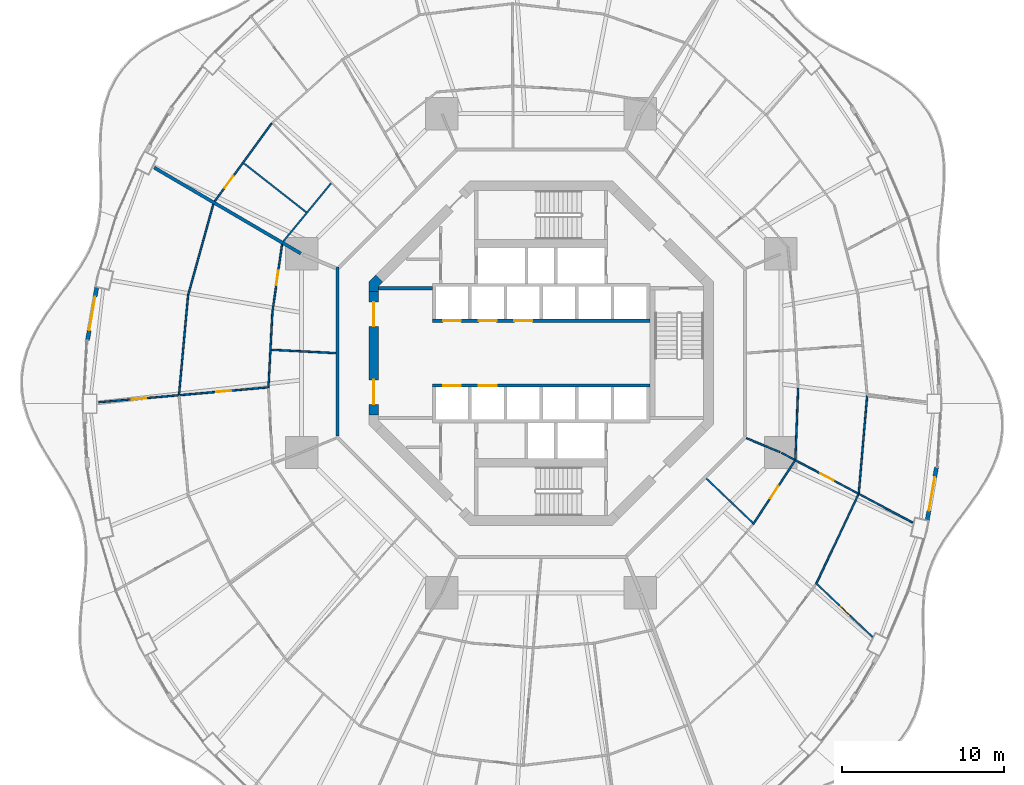
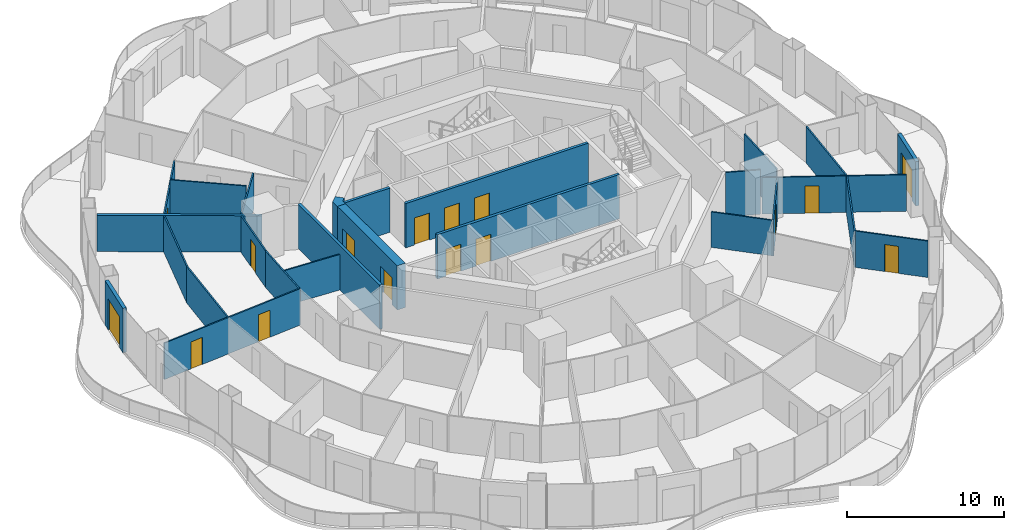
# One storey, part 13 of 19: 26 walls, 16 doors, 16 openings.
"""IFC4 building model written with IfcOpenShell, lengths in metres."""

from ifc_helpers import new_model, si_unit, direction, frame, frame_2d, origin, place, context, subcontext, project, spatial, polyline, rectangle, outline, extrude, material, layer, layer_set, type_object, element, fill, save


model = new_model("IFC4")

# Units and contexts
model_context = context("Model", 3, precision=1e-05, world=origin(), true_north=direction((0.0, 1.0)))
body_context = subcontext(model_context, "Body", "Model", "MODEL_VIEW")
ifc_project = project(units=[si_unit("LENGTHUNIT", "METRE"), si_unit("AREAUNIT", "SQUARE_METRE"), si_unit("VOLUMEUNIT", "CUBIC_METRE"), si_unit("PLANEANGLEUNIT", "RADIAN"), si_unit("MASSUNIT", "GRAM", prefix="KILO")], contexts=[model_context])

# Site, building, storey
site_placement = place(None, origin())
site = spatial("IfcSite", under=ifc_project, at=site_placement, CompositionType="ELEMENT")
building_placement = place(site_placement, origin())
building = spatial("IfcBuilding", under=site, at=building_placement, Name="Nagisa Residences", CompositionType="ELEMENT")
storey_placement = place(building_placement, frame((0.0, 0.0, 127.0)))
storey = spatial("IfcBuildingStorey", under=building, at=storey_placement, Name="L31", CompositionType="ELEMENT", Elevation=127.0)

# Walls
ifc_material_1 = material(Name="Gypsum board on steel studs", Category="steel")
ifc_layer_1 = layer(ifc_material_1, 0.199951171875)
ifc_layer_set_1 = layer_set([ifc_layer_1], Name="Apartment compartment wall EI60 200")
wall_type_1 = type_object("IfcWallType", Name="Apartment compartment wall EI60 200", PredefinedType="PARTITIONING", material=ifc_layer_set_1)
wall_1_placement = place(storey_placement, frame((-14.8251953125, 6.148193359375, 0.0), z_axis=(0.0, 0.0, 1.0), x_axis=(-0.862852031662, 0.505456597006, 0.0)))
element("IfcWall", 1, at=wall_1_placement, inside=storey, type_object=wall_type_1, Name="wall:L31:u03", PredefinedType="PARTITIONING", context=body_context, shape_type="SweptSolid", body=[
    extrude(rectangle(XDim=10.487060546875, YDim=0.199951171875, at=frame_2d((5.24365234375, 0.0))), origin(), (0.0, 0.0, 1.0), 2.827880859375),
])
ifc_material_2 = material(Name="Gypsum board on steel studs", Category="steel")
ifc_layer_2 = layer(ifc_material_2, 0.199951171875)
ifc_layer_set_2 = layer_set([ifc_layer_2], Name="Apartment entry wall EI60 200")
wall_type_2 = type_object("IfcWallType", Name="Apartment entry wall EI60 200", PredefinedType="PARTITIONING", material=ifc_layer_set_2)
wall_2_placement = place(storey_placement, frame((-12.564697265625, 5.304443359375, 0.0), z_axis=(0.0, 0.0, 1.0), x_axis=(0.0, -1.0, 0.0)))
element("IfcWall", 2, at=wall_2_placement, inside=storey, type_object=wall_type_2, Name="wall:L31:u10", PredefinedType="PARTITIONING", context=body_context, shape_type="SweptSolid", body=[
    extrude(rectangle(XDim=10.408935546875, YDim=0.199951171875, at=frame_2d((5.20458984375, 0.0))), origin(), (0.0, 0.0, 1.0), 3.43994140625),
])
ifc_material_3 = material(Name="Gypsum board on steel studs", Category="steel")
ifc_layer_3 = layer(ifc_material_3, 0.10009765625)
ifc_layer_set_3 = layer_set([ifc_layer_3], Name="Apartment partition 100")
wall_type_3 = type_object("IfcWallType", Name="Apartment partition 100", PredefinedType="PARTITIONING", material=ifc_layer_set_3)
wall_3_placement = place(storey_placement, frame((15.848876953125, -2.158203125, 0.0), z_axis=(0.0, 0.0, 1.0), x_axis=(-0.038390448414, -0.999262815014, 0.0)))
element("IfcWall", 3, at=wall_3_placement, inside=storey, type_object=wall_type_3, Name="wall:L31:u15", PredefinedType="PARTITIONING", context=body_context, shape_type="SweptSolid", body=[
    extrude(rectangle(XDim=4.394287109375, YDim=0.10009765625, at=frame_2d((2.197265625, 0.0))), origin(), (0.0, 0.0, 1.0), 3.43994140625),
])
wall_4_placement = place(storey_placement, frame((20.10595703125, -2.64208984375, 0.0), z_axis=(0.0, 0.0, 1.0), x_axis=(-0.085672025822, -0.996323393277, 0.0)))
element("IfcWall", 4, at=wall_4_placement, inside=storey, type_object=wall_type_3, Name="wall:L31:u18", PredefinedType="PARTITIONING", context=body_context, shape_type="SweptSolid", body=[
    extrude(rectangle(XDim=6.007080078125, YDim=0.10009765625, at=frame_2d((3.00341796875, 0.0))), origin(), (0.0, 0.0, 1.0), 2.827880859375),
])
wall_5_placement = place(storey_placement, frame((-12.965087890625, 10.474609375, 0.0), z_axis=(0.0, 0.0, 1.0), x_axis=(-0.634943961338, -0.772558195841, 0.0)))
element("IfcWall", 5, at=wall_5_placement, inside=storey, type_object=wall_type_3, Name="wall:L31:u49", PredefinedType="PARTITIONING", context=body_context, shape_type="SweptSolid", body=[
    extrude(rectangle(XDim=4.632080078125, YDim=0.10009765625, at=frame_2d((2.31591796875, 0.0))), origin(), (0.0, 0.0, 1.0), 2.827880859375),
])

# Wall, opening, door
wall_6_placement = place(storey_placement, frame((-16.620849609375, 14.17431640625, 0.0), z_axis=(0.0, 0.0, 1.0), x_axis=(-0.590674917338, -0.806909624449, 0.0)))
wall_6 = element("IfcWall", 6, at=wall_6_placement, inside=storey, type_object=wall_type_3, Name="wall:L31:u50", PredefinedType="PARTITIONING", context=body_context, shape_type="SweptSolid", body=[
    extrude(rectangle(XDim=5.948974609375, YDim=0.10009765625, at=frame_2d((2.974609375, 0.0))), origin(), (0.0, 0.0, 1.0), 2.827880859375),
])
opening_1_placement = place(wall_6_placement, frame((4.0244140625, 0.0, 0.0)))
opening_1 = element("IfcOpeningElement", 7, at=opening_1_placement, cuts=wall_6, Name="Opening L31-U11", PredefinedType="OPENING", context=body_context, shape_type="SweptSolid", body=[
    extrude(rectangle(XDim=0.89990234375, YDim=2.10009765625, at=frame_2d((0.449951171875, 1.050048828125))), frame((0.0, 0.06005859375, 0.0), z_axis=(0.0, -1.0, 0.0), x_axis=(1.0, 0.0, 0.0)), (0.0, 0.0, 1.0), 0.1201171875),
])
ifc_material_4 = material(Name="Timber door set", Category="wood")
door_type_1 = type_object("IfcDoorType", Name="Apartment door 900x2100", OperationType="NOTDEFINED", PredefinedType="DOOR", material=ifc_material_4)
door_1_placement = place(opening_1_placement, origin())
door_1 = element("IfcDoor", 8, at=door_1_placement, inside=storey, type_object=door_type_1, Name="Door to en-suite bathroom, Apartment 31A", OperationType="SINGLE_SWING_LEFT", OverallHeight=2.10009765625, OverallWidth=0.89990234375, PredefinedType="DOOR", context=body_context, shape_type="SweptSolid", body=[
    extrude(rectangle(XDim=0.89990234375, YDim=2.10009765625, at=frame_2d((0.449951171875, 1.050048828125))), frame((0.0, 0.02490234375, 0.0), z_axis=(0.0, -1.0, 0.0), x_axis=(1.0, 0.0, 0.0)), (0.0, 0.0, 1.0), 0.050048828125),
])
fill(opening_1, door_1)

# Wall
wall_7_placement = place(storey_placement, frame((-14.490966796875, 8.69677734375, 0.0), z_axis=(0.0, 0.0, 1.0), x_axis=(-0.787139479951, 0.616775031193, 0.0)))
element("IfcWall", 9, at=wall_7_placement, inside=storey, type_object=wall_type_3, Name="wall:L31:u51", PredefinedType="PARTITIONING", context=body_context, shape_type="SweptSolid", body=[
    extrude(rectangle(XDim=4.90673828125, YDim=0.10009765625, at=frame_2d((2.453369140625, 0.0))), origin(), (0.0, 0.0, 1.0), 3.43994140625),
])

# Wall, opening, door
wall_8_placement = place(storey_placement, frame((-15.98388671875, 6.7197265625, 0.0), z_axis=(0.0, 0.0, 1.0), x_axis=(-0.140684869512, -0.990054426529, 0.0)))
wall_8 = element("IfcWall", 10, at=wall_8_placement, inside=storey, type_object=wall_type_3, Name="wall:L31:u52", PredefinedType="PARTITIONING", context=body_context, shape_type="SweptSolid", body=[
    extrude(rectangle(XDim=4.177001953125, YDim=0.10009765625, at=frame_2d((2.08837890625, 0.0))), origin(), (0.0, 0.0, 1.0), 2.827880859375),
])
opening_2_placement = place(wall_8_placement, frame((1.638427734375, 0.0, 0.0)))
opening_2 = element("IfcOpeningElement", 11, at=opening_2_placement, cuts=wall_8, Name="Opening L31-U34", PredefinedType="OPENING", context=body_context, shape_type="SweptSolid", body=[
    extrude(rectangle(XDim=0.89990234375, YDim=2.10009765625, at=frame_2d((0.449951171875, 1.050048828125))), frame((0.0, 0.06005859375, 0.0), z_axis=(0.0, -1.0, 0.0), x_axis=(1.0, 0.0, 0.0)), (0.0, 0.0, 1.0), 0.1201171875),
])
door_2_placement = place(opening_2_placement, origin())
door_2 = element("IfcDoor", 12, at=door_2_placement, inside=storey, type_object=door_type_1, Name="Door to laundry, Apartment 31B", OperationType="SINGLE_SWING_RIGHT", OverallHeight=2.10009765625, OverallWidth=0.89990234375, PredefinedType="DOOR", context=body_context, shape_type="SweptSolid", body=[
    extrude(rectangle(XDim=0.89990234375, YDim=2.10009765625, at=frame_2d((0.449951171875, 1.050048828125))), frame((0.0, 0.02490234375, 0.0), z_axis=(0.0, -1.0, 0.0), x_axis=(1.0, 0.0, 0.0)), (0.0, 0.0, 1.0), 0.050048828125),
])
fill(opening_2, door_2)

# Walls
wall_9_placement = place(storey_placement, frame((-20.220703125, 9.19677734375, 0.0), z_axis=(0.0, 0.0, 1.0), x_axis=(-0.267398009191, -0.963586168789, 0.0)))
element("IfcWall", 13, at=wall_9_placement, inside=storey, type_object=wall_type_3, Name="wall:L31:u53", PredefinedType="PARTITIONING", context=body_context, shape_type="SweptSolid", body=[
    extrude(rectangle(XDim=5.78759765625, YDim=0.10009765625, at=frame_2d((2.893798828125, 0.0))), origin(), (0.0, 0.0, 1.0), 2.827880859375),
])
wall_10_placement = place(storey_placement, frame((-16.575927734375, 2.584716796875, 0.0), z_axis=(0.0, 0.0, 1.0), x_axis=(-0.052509224895, -0.998620439056, 0.0)))
element("IfcWall", 14, at=wall_10_placement, inside=storey, type_object=wall_type_3, Name="wall:L31:u54", PredefinedType="PARTITIONING", context=body_context, shape_type="SweptSolid", body=[
    extrude(rectangle(XDim=4.6494140625, YDim=0.10009765625, at=frame_2d((2.32470703125, 0.0))), origin(), (0.0, 0.0, 1.0), 2.827880859375),
])
wall_11_placement = place(storey_placement, frame((-21.777099609375, 3.621337890625, 0.0), z_axis=(0.0, 0.0, 1.0), x_axis=(-0.090606877484, -0.995886737412, 0.0)))
element("IfcWall", 15, at=wall_11_placement, inside=storey, type_object=wall_type_3, Name="wall:L31:u55", PredefinedType="PARTITIONING", context=body_context, shape_type="SweptSolid", body=[
    extrude(rectangle(XDim=6.189208984375, YDim=0.10009765625, at=frame_2d((3.0947265625, 0.0))), origin(), (0.0, 0.0, 1.0), 2.827880859375),
])
wall_12_placement = place(storey_placement, frame((-12.66455078125, 0.005126953125, 0.0), z_axis=(0.0, 0.0, 1.0), x_axis=(-0.998672861712, 0.051502575462, 0.0)))
element("IfcWall", 16, at=wall_12_placement, inside=storey, type_object=wall_type_3, Name="wall:L31:u56", PredefinedType="PARTITIONING", context=body_context, shape_type="SweptSolid", body=[
    extrude(rectangle(XDim=3.991455078125, YDim=0.10009765625, at=frame_2d((1.99560546875, 0.0))), origin(), (0.0, 0.0, 1.0), 2.756103515625),
])

# Wall, openings, doors
wall_13_placement = place(storey_placement, frame((-16.77294921875, -2.103759765625, 0.0), z_axis=(0.0, 0.0, 1.0), x_axis=(-0.996176206701, -0.087366842701, 0.0)))
wall_13 = element("IfcWall", 17, at=wall_13_placement, inside=storey, type_object=wall_type_3, Name="wall:L31:u57", PredefinedType="PARTITIONING", context=body_context, shape_type="SweptSolid", body=[
    extrude(rectangle(XDim=10.56005859375, YDim=0.10009765625, at=frame_2d((5.280029296875, 0.0))), origin(), (0.0, 0.0, 1.0), 2.827880859375),
])
opening_3_placement = place(wall_13_placement, frame((2.370361328125, 0.0, 0.0)))
opening_3 = element("IfcOpeningElement", 18, at=opening_3_placement, cuts=wall_13, Name="Opening L31-U32", PredefinedType="OPENING", context=body_context, shape_type="SweptSolid", body=[
    extrude(rectangle(XDim=0.89990234375, YDim=2.10009765625, at=frame_2d((0.449951171875, 1.050048828125))), frame((0.0, 0.06005859375, 0.0), z_axis=(0.0, -1.0, 0.0), x_axis=(1.0, 0.0, 0.0)), (0.0, 0.0, 1.0), 0.1201171875),
])
opening_4_placement = place(wall_13_placement, frame((7.62548828125, 0.0, 0.0)))
opening_4 = element("IfcOpeningElement", 19, at=opening_4_placement, cuts=wall_13, Name="Opening L31-U33", PredefinedType="OPENING", context=body_context, shape_type="SweptSolid", body=[
    extrude(rectangle(XDim=0.89990234375, YDim=2.10009765625, at=frame_2d((0.449951171875, 1.050048828125))), frame((0.0, 0.06005859375, 0.0), z_axis=(0.0, -1.0, 0.0), x_axis=(1.0, 0.0, 0.0)), (0.0, 0.0, 1.0), 0.1201171875),
])
door_3_placement = place(opening_3_placement, frame((0.89990234375, 0.0, 0.0), x_axis=(-1.0, 0.0, 0.0)))
door_3 = element("IfcDoor", 20, at=door_3_placement, inside=storey, type_object=door_type_1, Name="Door to dining room, Apartment 31B", OperationType="SINGLE_SWING_LEFT", OverallHeight=2.10009765625, OverallWidth=0.89990234375, PredefinedType="DOOR", context=body_context, shape_type="SweptSolid", body=[
    extrude(rectangle(XDim=0.89990234375, YDim=2.10009765625, at=frame_2d((0.449951171875, 1.050048828125))), frame((0.0, 0.02490234375, 0.0), z_axis=(0.0, -1.0, 0.0), x_axis=(1.0, 0.0, 0.0)), (0.0, 0.0, 1.0), 0.050048828125),
])
fill(opening_3, door_3)
door_4_placement = place(opening_4_placement, frame((0.89990234375, 0.0, 0.0), x_axis=(-1.0, 0.0, 0.0)))
door_4 = element("IfcDoor", 21, at=door_4_placement, inside=storey, type_object=door_type_1, Name="Door to family room, Apartment 31B", OperationType="SINGLE_SWING_RIGHT", OverallHeight=2.10009765625, OverallWidth=0.89990234375, PredefinedType="DOOR", context=body_context, shape_type="SweptSolid", body=[
    extrude(rectangle(XDim=0.89990234375, YDim=2.10009765625, at=frame_2d((0.449951171875, 1.050048828125))), frame((0.0, 0.02490234375, 0.0), z_axis=(0.0, -1.0, 0.0), x_axis=(1.0, 0.0, 0.0)), (0.0, 0.0, 1.0), 0.050048828125),
])
fill(opening_4, door_4)

# Wall
wall_14_placement = place(storey_placement, frame((10.18359375, -7.72705078125, 0.0), z_axis=(0.0, 0.0, 1.0), x_axis=(0.723654892782, -0.690162007179, 0.0)))
element("IfcWall", 22, at=wall_14_placement, inside=storey, type_object=wall_type_3, Name="wall:L31:u91", PredefinedType="PARTITIONING", context=body_context, shape_type="SweptSolid", body=[
    extrude(rectangle(XDim=3.97998046875, YDim=0.10009765625, at=frame_2d((1.989990234375, 0.0))), origin(), (0.0, 0.0, 1.0), 2.756103515625),
])

# Wall, opening, door
wall_15_placement = place(storey_placement, frame((13.072265625, -10.550048828125, 0.0), z_axis=(0.0, 0.0, 1.0), x_axis=(0.550614843759, 0.834759422727, 0.0)))
wall_15 = element("IfcWall", 23, at=wall_15_placement, inside=storey, type_object=wall_type_3, Name="wall:L31:u92", PredefinedType="PARTITIONING", context=body_context, shape_type="SweptSolid", body=[
    extrude(rectangle(XDim=4.6826171875, YDim=0.10009765625, at=frame_2d((2.34130859375, 0.0))), origin(), (0.0, 0.0, 1.0), 2.827880859375),
])
opening_5_placement = place(wall_15_placement, frame((1.91650390625, 0.0, 0.0)))
opening_5 = element("IfcOpeningElement", 24, at=opening_5_placement, cuts=wall_15, Name="Opening L31-U51", PredefinedType="OPENING", context=body_context, shape_type="SweptSolid", body=[
    extrude(rectangle(XDim=0.89990234375, YDim=2.10009765625, at=frame_2d((0.449951171875, 1.050048828125))), frame((0.0, 0.06005859375, 0.0), z_axis=(0.0, -1.0, 0.0), x_axis=(1.0, 0.0, 0.0)), (0.0, 0.0, 1.0), 0.1201171875),
])
door_5_placement = place(opening_5_placement, origin())
door_5 = element("IfcDoor", 25, at=door_5_placement, inside=storey, type_object=door_type_1, Name="Door to laundry, Apartment 31C", OperationType="SINGLE_SWING_LEFT", OverallHeight=2.10009765625, OverallWidth=0.89990234375, PredefinedType="DOOR", context=body_context, shape_type="SweptSolid", body=[
    extrude(rectangle(XDim=0.89990234375, YDim=2.10009765625, at=frame_2d((0.449951171875, 1.050048828125))), frame((0.0, 0.02490234375, 0.0), z_axis=(0.0, -1.0, 0.0), x_axis=(1.0, 0.0, 0.0)), (0.0, 0.0, 1.0), 0.050048828125),
])
fill(opening_5, door_5)

wall_16_placement = place(storey_placement, frame((17.010009765625, -14.238037109375, 0.0), z_axis=(0.0, 0.0, 1.0), x_axis=(0.723650186498, -0.690166941821, 0.0)))
wall_16 = element("IfcWall", 26, at=wall_16_placement, inside=storey, type_object=wall_type_3, Name="wall:L31:u93", PredefinedType="PARTITIONING", context=body_context, shape_type="SweptSolid", body=[
    extrude(rectangle(XDim=4.739501953125, YDim=0.10009765625, at=frame_2d((2.36962890625, 0.0))), origin(), (0.0, 0.0, 1.0), 2.827880859375),
])
opening_6_placement = place(wall_16_placement, frame((1.919677734375, 0.0, 0.0)))
opening_6 = element("IfcOpeningElement", 27, at=opening_6_placement, cuts=wall_16, Name="Opening L31-U49", PredefinedType="OPENING", context=body_context, shape_type="SweptSolid", body=[
    extrude(rectangle(XDim=0.89990234375, YDim=2.10009765625, at=frame_2d((0.449951171875, 1.050048828125))), frame((0.0, 0.06005859375, 0.0), z_axis=(0.0, -1.0, 0.0), x_axis=(1.0, 0.0, 0.0)), (0.0, 0.0, 1.0), 0.1201171875),
])
door_6_placement = place(opening_6_placement, origin())
door_6 = element("IfcDoor", 28, at=door_6_placement, inside=storey, type_object=door_type_1, Name="Door to master bedroom, Apartment 31C", OperationType="SINGLE_SWING_LEFT", OverallHeight=2.10009765625, OverallWidth=0.89990234375, PredefinedType="DOOR", context=body_context, shape_type="SweptSolid", body=[
    extrude(rectangle(XDim=0.89990234375, YDim=2.10009765625, at=frame_2d((0.449951171875, 1.050048828125))), frame((0.0, 0.02490234375, 0.0), z_axis=(0.0, -1.0, 0.0), x_axis=(1.0, 0.0, 0.0)), (0.0, 0.0, 1.0), 0.050048828125),
])
fill(opening_6, door_6)

# Walls
wall_17_placement = place(storey_placement, frame((16.95263671875, -14.24853515625, 0.0), z_axis=(0.0, 0.0, 1.0), x_axis=(0.427456178439, 0.904036069808, 0.0)))
element("IfcWall", 29, at=wall_17_placement, inside=storey, type_object=wall_type_3, Name="wall:L31:u94", PredefinedType="PARTITIONING", context=body_context, shape_type="SweptSolid", body=[
    extrude(rectangle(XDim=6.113037109375, YDim=0.10009765625, at=frame_2d((3.056640625, 0.0))), origin(), (0.0, 0.0, 1.0), 2.827880859375),
])
wall_18_placement = place(storey_placement, frame((12.6572265625, -5.24267578125, 0.0), z_axis=(0.0, 0.0, 1.0), x_axis=(0.923864733477, -0.382719158442, 0.0)))
element("IfcWall", 30, at=wall_18_placement, inside=storey, type_object=wall_type_3, Name="wall:L31:u95", PredefinedType="PARTITIONING", context=body_context, shape_type="SweptSolid", body=[
    extrude(rectangle(XDim=2.25, YDim=0.10009765625, at=frame_2d((1.125, 0.0))), origin(), (0.0, 0.0, 1.0), 3.43994140625),
])

# Wall, opening, door
wall_19_placement = place(storey_placement, frame((14.826171875, -6.146484375, 0.0), z_axis=(0.0, 0.0, 1.0), x_axis=(0.883012998471, -0.469348532044, 0.0)))
wall_19 = element("IfcWall", 31, at=wall_19_placement, inside=storey, type_object=wall_type_3, Name="wall:L31:u96", PredefinedType="PARTITIONING", context=body_context, shape_type="SweptSolid", body=[
    extrude(rectangle(XDim=9.172119140625, YDim=0.10009765625, at=frame_2d((4.5859375, 0.0))), origin(), (0.0, 0.0, 1.0), 2.827880859375),
])
opening_7_placement = place(wall_19_placement, frame((2.728271484375, 0.0, 0.0)))
opening_7 = element("IfcOpeningElement", 32, at=opening_7_placement, cuts=wall_19, Name="Opening L31-U47", PredefinedType="OPENING", context=body_context, shape_type="SweptSolid", body=[
    extrude(rectangle(XDim=0.89990234375, YDim=2.10009765625, at=frame_2d((0.449951171875, 1.050048828125))), frame((0.0, 0.06005859375, 0.0), z_axis=(0.0, -1.0, 0.0), x_axis=(1.0, 0.0, 0.0)), (0.0, 0.0, 1.0), 0.1201171875),
])
door_7_placement = place(opening_7_placement, frame((0.89990234375, 0.0, 0.0), x_axis=(-1.0, 0.0, 0.0)))
door_7 = element("IfcDoor", 33, at=door_7_placement, inside=storey, type_object=door_type_1, Name="Door to kitchen, Apartment 31C", OperationType="SINGLE_SWING_RIGHT", OverallHeight=2.10009765625, OverallWidth=0.89990234375, PredefinedType="DOOR", context=body_context, shape_type="SweptSolid", body=[
    extrude(rectangle(XDim=0.89990234375, YDim=2.10009765625, at=frame_2d((0.449951171875, 1.050048828125))), frame((0.0, 0.02490234375, 0.0), z_axis=(0.0, -1.0, 0.0), x_axis=(1.0, 0.0, 0.0)), (0.0, 0.0, 1.0), 0.050048828125),
])
fill(opening_7, door_7)

ifc_material_5 = material(Name="Precast concrete C40/50", Category="concrete")
ifc_layer_4 = layer(ifc_material_5, 0.25)
ifc_layer_set_4 = layer_set([ifc_layer_4], Name="BALCONY DOOR WALL 250")
wall_type_4 = type_object("IfcWallType", Name="BALCONY DOOR WALL 250", PredefinedType="SOLIDWALL", material=ifc_layer_set_4)
wall_20_placement = place(storey_placement, frame((-27.98486328125, 0.802001953125, 0.0), z_axis=(0.0, 0.0, 1.0), x_axis=(0.172163521006, 0.985068384446, 0.0)))
wall_20 = element("IfcWall", 34, at=wall_20_placement, inside=storey, type_object=wall_type_4, Name="wall:L31:bay22", PredefinedType="SOLIDWALL", context=body_context, shape_type="SweptSolid", body=[
    extrude(rectangle(XDim=3.33251953125, YDim=0.25, at=frame_2d((1.666259765625, 0.0))), origin(), (0.0, 0.0, 1.0), 3.43994140625),
])
opening_8_placement = place(wall_20_placement, frame((0.6162109375, 0.0, 0.0)))
opening_8 = element("IfcOpeningElement", 35, at=opening_8_placement, cuts=wall_20, Name="Opening BD-L31-08", PredefinedType="OPENING", context=body_context, shape_type="SweptSolid", body=[
    extrude(rectangle(XDim=2.10009765625, YDim=2.39990234375, at=frame_2d((1.050048828125, 1.199951171875))), frame((0.0, 0.135009765625, 0.0), z_axis=(0.0, -1.0, 0.0), x_axis=(1.0, 0.0, 0.0)), (0.0, 0.0, 1.0), 0.27001953125),
])
ifc_material_6 = material(Name="Aluminium and clear glass", Category="aluminium")
door_type_2 = type_object("IfcDoorType", Name="BALCONY SLIDING DOOR 2100x2400", OperationType="SLIDING_TO_LEFT", PredefinedType="DOOR", material=ifc_material_6)
door_8_placement = place(opening_8_placement, origin())
door_8 = element("IfcDoor", 36, at=door_8_placement, inside=storey, type_object=door_type_2, Name="door:L31:bay22", OperationType="SLIDING_TO_LEFT", OverallHeight=2.39990234375, OverallWidth=2.10009765625, PredefinedType="DOOR", context=body_context, shape_type="SweptSolid", body=[
    extrude(rectangle(XDim=2.10009765625, YDim=2.39990234375, at=frame_2d((1.050048828125, 1.199951171875))), frame((0.0, 0.02490234375, 0.0), z_axis=(0.0, -1.0, 0.0), x_axis=(1.0, 0.0, 0.0)), (0.0, 0.0, 1.0), 0.050048828125),
])
fill(opening_8, door_8)

wall_21_placement = place(storey_placement, frame((24.384765625, -7.037353515625, 0.0), z_axis=(0.0, 0.0, 1.0), x_axis=(-0.172163521006, -0.985068384446, 0.0)))
wall_21 = element("IfcWall", 37, at=wall_21_placement, inside=storey, type_object=wall_type_4, Name="wall:L31:bay46", PredefinedType="SOLIDWALL", context=body_context, shape_type="SweptSolid", body=[
    extrude(rectangle(XDim=3.33251953125, YDim=0.25, at=frame_2d((1.666259765625, 0.0))), origin(), (0.0, 0.0, 1.0), 3.43994140625),
])
opening_9_placement = place(wall_21_placement, frame((0.6162109375, 0.0, 0.0)))
opening_9 = element("IfcOpeningElement", 38, at=opening_9_placement, cuts=wall_21, Name="Opening BD-L31-16", PredefinedType="OPENING", context=body_context, shape_type="SweptSolid", body=[
    extrude(rectangle(XDim=2.10009765625, YDim=2.39990234375, at=frame_2d((1.050048828125, 1.199951171875))), frame((0.0, 0.135009765625, 0.0), z_axis=(0.0, -1.0, 0.0), x_axis=(1.0, 0.0, 0.0)), (0.0, 0.0, 1.0), 0.27001953125),
])
door_9_placement = place(opening_9_placement, origin())
door_9 = element("IfcDoor", 39, at=door_9_placement, inside=storey, type_object=door_type_2, Name="door:L31:bay46", OperationType="SLIDING_TO_LEFT", OverallHeight=2.39990234375, OverallWidth=2.10009765625, PredefinedType="DOOR", context=body_context, shape_type="SweptSolid", body=[
    extrude(rectangle(XDim=2.10009765625, YDim=2.39990234375, at=frame_2d((1.050048828125, 1.199951171875))), frame((0.0, 0.02490234375, 0.0), z_axis=(0.0, -1.0, 0.0), x_axis=(1.0, 0.0, 0.0)), (0.0, 0.0, 1.0), 0.050048828125),
])
fill(opening_9, door_9)

# Wall
ifc_material_7 = material(Name="Gypsum board on steel studs", Category="steel")
ifc_layer_5 = layer(ifc_material_7, 0.199951171875)
ifc_layer_set_5 = layer_set([ifc_layer_5], Name="Core partition 200")
wall_type_5 = type_object("IfcWallType", Name="Core partition 200", PredefinedType="PARTITIONING", material=ifc_layer_set_5)
wall_22_placement = place(storey_placement, frame((-10.024658203125, 4.0, 0.0), z_axis=(0.0, 0.0, 1.0), x_axis=(1.0, 0.0, 0.0)))
element("IfcWall", 40, at=wall_22_placement, inside=storey, type_object=wall_type_5, Name="wall:L31:PNW", PredefinedType="PARTITIONING", context=body_context, shape_type="SweptSolid", body=[
    extrude(rectangle(XDim=3.32470703125, YDim=0.199951171875, at=frame_2d((1.662353515625, 0.0))), origin(), (0.0, 0.0, 1.0), 3.43994140625),
])

# Wall, openings, doors
ifc_material_8 = material(Name="Concrete C60", Category="concrete")
ifc_layer_6 = layer(ifc_material_8, 0.60009765625)
ifc_layer_set_6 = layer_set([ifc_layer_6], Name="Core shear wall 600")
wall_type_6 = type_object("IfcWallType", Name="Core shear wall 600", PredefinedType="SHEAR", material=ifc_layer_set_6)
wall_23_placement = place(storey_placement, frame((-10.32470703125, 3.80078125, 0.0), z_axis=(0.0, 0.0, 1.0), x_axis=(0.0, -1.0, 0.0)))
wall_23 = element("IfcWall", 41, at=wall_23_placement, inside=storey, type_object=wall_type_6, Name="wall:L31:core:flat4", PredefinedType="SHEAR", context=body_context, shape_type="SweptSolid", body=[
    extrude(rectangle(XDim=7.6015625, YDim=0.60009765625, at=frame_2d((3.80078125, 0.0))), origin(), (0.0, 0.0, 1.0), 3.43994140625),
])
opening_10_placement = place(wall_23_placement, frame((0.65087890625, 0.0, 0.0)))
opening_10 = element("IfcOpeningElement", 42, at=opening_10_placement, cuts=wall_23, Name="Opening L31-C19", PredefinedType="OPENING", context=body_context, shape_type="SweptSolid", body=[
    extrude(rectangle(XDim=1.5, YDim=2.10009765625, at=frame_2d((0.75, 1.050048828125))), frame((0.0, 0.31005859375, 0.0), z_axis=(0.0, -1.0, 0.0), x_axis=(1.0, 0.0, 0.0)), (0.0, 0.0, 1.0), 0.6201171875),
])
opening_11_placement = place(wall_23_placement, frame((5.450927734375, 0.0, 0.0)))
opening_11 = element("IfcOpeningElement", 43, at=opening_11_placement, cuts=wall_23, Name="Opening L31-C20", PredefinedType="OPENING", context=body_context, shape_type="SweptSolid", body=[
    extrude(rectangle(XDim=1.5, YDim=2.10009765625, at=frame_2d((0.75, 1.050048828125))), frame((0.0, 0.31005859375, 0.0), z_axis=(0.0, -1.0, 0.0), x_axis=(1.0, 0.0, 0.0)), (0.0, 0.0, 1.0), 0.6201171875),
])
ifc_material_9 = material(Name="Steel fire door", Category="steel")
door_type_3 = type_object("IfcDoorType", Name="Fire door EI60 1500x2100 double door single swing", OperationType="DOUBLE_DOOR_SINGLE_SWING", PredefinedType="DOOR", material=ifc_material_9)
door_10_placement = place(opening_10_placement, origin())
door_10 = element("IfcDoor", 44, at=door_10_placement, inside=storey, type_object=door_type_3, Name="Lift lobby door L31 1", OperationType="DOUBLE_DOOR_SINGLE_SWING", OverallHeight=2.10009765625, OverallWidth=1.5, PredefinedType="DOOR", context=body_context, shape_type="SweptSolid", body=[
    extrude(rectangle(XDim=1.5, YDim=2.10009765625, at=frame_2d((0.75, 1.050048828125))), frame((0.0, 0.02490234375, 0.0), z_axis=(0.0, -1.0, 0.0), x_axis=(1.0, 0.0, 0.0)), (0.0, 0.0, 1.0), 0.050048828125),
])
fill(opening_10, door_10)
door_11_placement = place(opening_11_placement, origin())
door_11 = element("IfcDoor", 45, at=door_11_placement, inside=storey, type_object=door_type_3, Name="Lift lobby door L31 2", OperationType="DOUBLE_DOOR_SINGLE_SWING", OverallHeight=2.10009765625, OverallWidth=1.5, PredefinedType="DOOR", context=body_context, shape_type="SweptSolid", body=[
    extrude(rectangle(XDim=1.5, YDim=2.10009765625, at=frame_2d((0.75, 1.050048828125))), frame((0.0, 0.02490234375, 0.0), z_axis=(0.0, -1.0, 0.0), x_axis=(1.0, 0.0, 0.0)), (0.0, 0.0, 1.0), 0.050048828125),
])
fill(opening_11, door_11)

# Wall
wall_24_placement = place(storey_placement, origin())
element("IfcWall", 46, at=wall_24_placement, inside=storey, type_object=wall_type_6, Name="wall:L31:core:pier3", PredefinedType="SHEAR", context=body_context, shape_type="SweptSolid", body=[
    extrude(outline(polyline([(-10.200439453125, 4.8251953125), (-9.776123046875, 4.40087890625), (-10.024658203125, 4.15234375), (-10.024658203125, 3.80078125), (-10.62451171875, 3.80078125), (-10.62451171875, 4.40087890625), (-10.200439453125, 4.8251953125)])), origin(), (0.0, 0.0, 1.0), 3.43994140625),
])

# Wall, openings, doors
ifc_material_10 = material(Name="Concrete C60", Category="concrete")
ifc_layer_7 = layer(ifc_material_10, 0.199951171875)
ifc_layer_set_7 = layer_set([ifc_layer_7], Name="Lift shaft wall 200")
wall_type_7 = type_object("IfcWallType", Name="Lift shaft wall 200", PredefinedType="SOLIDWALL", material=ifc_layer_set_7)
wall_25_placement = place(storey_placement, frame((-6.699951171875, 2.0, 0.0), z_axis=(0.0, 0.0, 1.0), x_axis=(1.0, 0.0, 0.0)))
wall_25 = element("IfcWall", 47, at=wall_25_placement, inside=storey, type_object=wall_type_7, Name="wall:L31:Nfront", PredefinedType="SOLIDWALL", context=body_context, shape_type="SweptSolid", body=[
    extrude(rectangle(XDim=13.39990234375, YDim=0.199951171875, at=frame_2d((6.699951171875, 0.0))), origin(), (0.0, 0.0, 1.0), 3.43994140625),
])
opening_12_placement = place(wall_25_placement, frame((0.64990234375, 0.0, 0.0)))
opening_12 = element("IfcOpeningElement", 48, at=opening_12_placement, cuts=wall_25, Name="Opening L31-C01", PredefinedType="OPENING", context=body_context, shape_type="SweptSolid", body=[
    extrude(rectangle(XDim=1.10009765625, YDim=2.10009765625, at=frame_2d((0.550048828125, 1.050048828125))), frame((0.0, 0.10986328125, 0.0), z_axis=(0.0, -1.0, 0.0), x_axis=(1.0, 0.0, 0.0)), (0.0, 0.0, 1.0), 0.219970703125),
])
opening_13_placement = place(wall_25_placement, frame((2.85009765625, 0.0, 0.0)))
opening_13 = element("IfcOpeningElement", 49, at=opening_13_placement, cuts=wall_25, Name="Opening L31-C02", PredefinedType="OPENING", context=body_context, shape_type="SweptSolid", body=[
    extrude(rectangle(XDim=1.10009765625, YDim=2.10009765625, at=frame_2d((0.550048828125, 1.050048828125))), frame((0.0, 0.10986328125, 0.0), z_axis=(0.0, -1.0, 0.0), x_axis=(1.0, 0.0, 0.0)), (0.0, 0.0, 1.0), 0.219970703125),
])
opening_14_placement = place(wall_25_placement, frame((5.050048828125, 0.0, 0.0)))
opening_14 = element("IfcOpeningElement", 50, at=opening_14_placement, cuts=wall_25, Name="Opening L31-C03", PredefinedType="OPENING", context=body_context, shape_type="SweptSolid", body=[
    extrude(rectangle(XDim=1.10009765625, YDim=2.10009765625, at=frame_2d((0.550048828125, 1.050048828125))), frame((0.0, 0.10986328125, 0.0), z_axis=(0.0, -1.0, 0.0), x_axis=(1.0, 0.0, 0.0)), (0.0, 0.0, 1.0), 0.219970703125),
])
ifc_material_11 = material(Name="Stainless steel", Category="steel")
door_type_4 = type_object("IfcDoorType", Name="Lift landing door 1100x2100", OperationType="DOUBLE_DOOR_SLIDING", PredefinedType="DOOR", material=ifc_material_11)
door_12_placement = place(opening_12_placement, origin())
door_12 = element("IfcDoor", 51, at=door_12_placement, inside=storey, type_object=door_type_4, Name="Landing door A1 L31", OperationType="DOUBLE_DOOR_SLIDING", OverallHeight=2.10009765625, OverallWidth=1.10009765625, PredefinedType="DOOR", context=body_context, shape_type="SweptSolid", body=[
    extrude(rectangle(XDim=1.10009765625, YDim=2.10009765625, at=frame_2d((0.550048828125, 1.050048828125))), frame((0.0, 0.02490234375, 0.0), z_axis=(0.0, -1.0, 0.0), x_axis=(1.0, 0.0, 0.0)), (0.0, 0.0, 1.0), 0.050048828125),
])
fill(opening_12, door_12)
door_13_placement = place(opening_13_placement, origin())
door_13 = element("IfcDoor", 52, at=door_13_placement, inside=storey, type_object=door_type_4, Name="Landing door A2 L31", OperationType="DOUBLE_DOOR_SLIDING", OverallHeight=2.10009765625, OverallWidth=1.10009765625, PredefinedType="DOOR", context=body_context, shape_type="SweptSolid", body=[
    extrude(rectangle(XDim=1.10009765625, YDim=2.10009765625, at=frame_2d((0.550048828125, 1.050048828125))), frame((0.0, 0.02490234375, 0.0), z_axis=(0.0, -1.0, 0.0), x_axis=(1.0, 0.0, 0.0)), (0.0, 0.0, 1.0), 0.050048828125),
])
fill(opening_13, door_13)
door_14_placement = place(opening_14_placement, origin())
door_14 = element("IfcDoor", 53, at=door_14_placement, inside=storey, type_object=door_type_4, Name="Landing door A3 L31", OperationType="DOUBLE_DOOR_SLIDING", OverallHeight=2.10009765625, OverallWidth=1.10009765625, PredefinedType="DOOR", context=body_context, shape_type="SweptSolid", body=[
    extrude(rectangle(XDim=1.10009765625, YDim=2.10009765625, at=frame_2d((0.550048828125, 1.050048828125))), frame((0.0, 0.02490234375, 0.0), z_axis=(0.0, -1.0, 0.0), x_axis=(1.0, 0.0, 0.0)), (0.0, 0.0, 1.0), 0.050048828125),
])
fill(opening_14, door_14)

wall_26_placement = place(storey_placement, frame((-6.699951171875, -2.0, 0.0), z_axis=(0.0, 0.0, 1.0), x_axis=(1.0, 0.0, 0.0)))
wall_26 = element("IfcWall", 54, at=wall_26_placement, inside=storey, type_object=wall_type_7, Name="wall:L31:Sfront", PredefinedType="SOLIDWALL", context=body_context, shape_type="SweptSolid", body=[
    extrude(rectangle(XDim=13.39990234375, YDim=0.199951171875, at=frame_2d((6.699951171875, 0.0))), origin(), (0.0, 0.0, 1.0), 3.43994140625),
])
opening_15_placement = place(wall_26_placement, frame((0.64990234375, 0.0, 0.0)))
opening_15 = element("IfcOpeningElement", 55, at=opening_15_placement, cuts=wall_26, Name="Opening L31-C04", PredefinedType="OPENING", context=body_context, shape_type="SweptSolid", body=[
    extrude(rectangle(XDim=1.10009765625, YDim=2.10009765625, at=frame_2d((0.550048828125, 1.050048828125))), frame((0.0, 0.10986328125, 0.0), z_axis=(0.0, -1.0, 0.0), x_axis=(1.0, 0.0, 0.0)), (0.0, 0.0, 1.0), 0.219970703125),
])
opening_16_placement = place(wall_26_placement, frame((2.85009765625, 0.0, 0.0)))
opening_16 = element("IfcOpeningElement", 56, at=opening_16_placement, cuts=wall_26, Name="Opening L31-C05", PredefinedType="OPENING", context=body_context, shape_type="SweptSolid", body=[
    extrude(rectangle(XDim=1.10009765625, YDim=2.10009765625, at=frame_2d((0.550048828125, 1.050048828125))), frame((0.0, 0.10986328125, 0.0), z_axis=(0.0, -1.0, 0.0), x_axis=(1.0, 0.0, 0.0)), (0.0, 0.0, 1.0), 0.219970703125),
])
door_15_placement = place(opening_15_placement, origin())
door_15 = element("IfcDoor", 57, at=door_15_placement, inside=storey, type_object=door_type_4, Name="Landing door A4 L31", OperationType="DOUBLE_DOOR_SLIDING", OverallHeight=2.10009765625, OverallWidth=1.10009765625, PredefinedType="DOOR", context=body_context, shape_type="SweptSolid", body=[
    extrude(rectangle(XDim=1.10009765625, YDim=2.10009765625, at=frame_2d((0.550048828125, 1.050048828125))), frame((0.0, 0.02490234375, 0.0), z_axis=(0.0, -1.0, 0.0), x_axis=(1.0, 0.0, 0.0)), (0.0, 0.0, 1.0), 0.050048828125),
])
fill(opening_15, door_15)
door_16_placement = place(opening_16_placement, origin())
door_16 = element("IfcDoor", 58, at=door_16_placement, inside=storey, type_object=door_type_4, Name="Landing door A5 L31", OperationType="DOUBLE_DOOR_SLIDING", OverallHeight=2.10009765625, OverallWidth=1.10009765625, PredefinedType="DOOR", context=body_context, shape_type="SweptSolid", body=[
    extrude(rectangle(XDim=1.10009765625, YDim=2.10009765625, at=frame_2d((0.550048828125, 1.050048828125))), frame((0.0, 0.02490234375, 0.0), z_axis=(0.0, -1.0, 0.0), x_axis=(1.0, 0.0, 0.0)), (0.0, 0.0, 1.0), 0.050048828125),
])
fill(opening_16, door_16)

save(model, "model.ifc")
